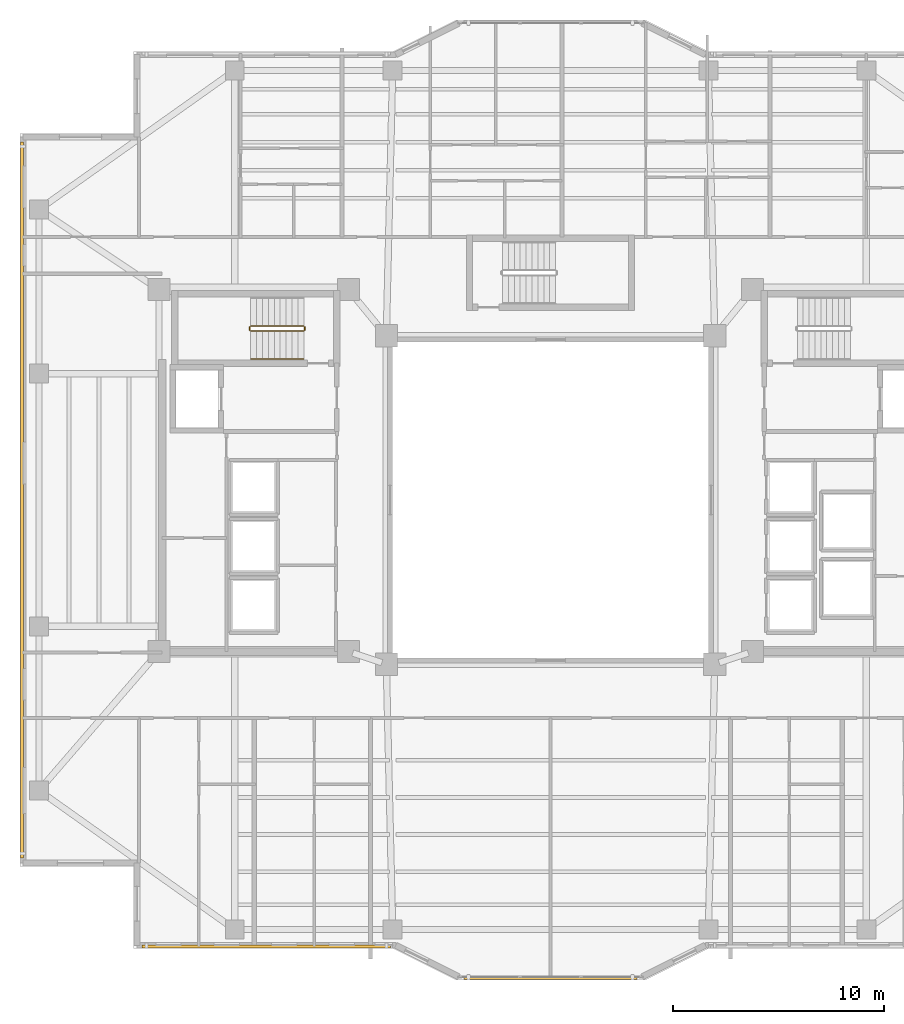
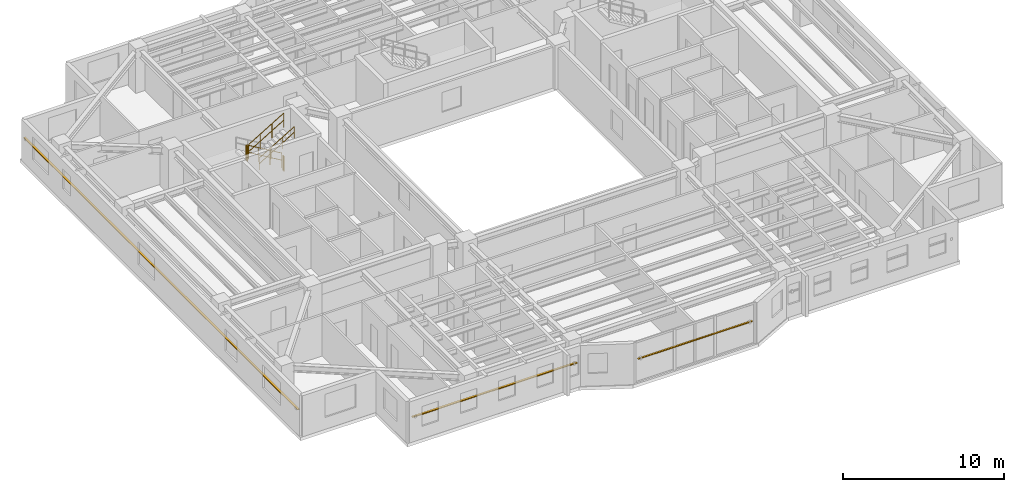
# One storey, part 14 of 16: 5 railings, 3 shading devices.
"""IFC4 building model written with IfcOpenShell, lengths in metres."""

import ifcopenshell
import ifcopenshell.guid

model = None  # the IFC model being written
_history = None  # IfcOwnerHistory: only IFC2X3 demands one
_inside = {}  # id of a spatial element -> (the spatial element, [elements in it])
_under = {}  # id of a project, library or spatial element -> (it, [spatial elements below it])
_declared = {}  # id of a project -> (the project, [libraries it declares])
_typed = {}  # id of a type object -> (the type object, [elements of that type])
_made_of = {}  # id of a material, layer set ... -> (it, [elements and type objects made of it])


def new_model(schema):
    """Start an empty IFC model of exactly this schema.

    Asked for "IFC4X3", IfcOpenShell would pick the latest addendum, in which some entities
    have other attributes; the version numbers below select the first issue.
    IFC2X3 requires an IfcOwnerHistory on every rooted entity: one is made here for all.
    """
    global model, _history
    if schema == "IFC4X3":
        model = ifcopenshell.file(schema_version=(4, 3, 0, 0))
    else:
        model = ifcopenshell.file(schema=schema)
    _inside.clear()
    _under.clear()
    _declared.clear()
    _typed.clear()
    _made_of.clear()
    _history = None
    if model.schema == "IFC2X3":
        org = make("IfcOrganization", Name="unknown")
        user = make(
            "IfcPersonAndOrganization",
            ThePerson=make("IfcPerson", FamilyName="unknown"),
            TheOrganization=org,
        )
        app = make(
            "IfcApplication",
            ApplicationDeveloper=org,
            Version="unknown",
            ApplicationFullName="unknown",
            ApplicationIdentifier="unknown",
        )
        _history = make(
            "IfcOwnerHistory",
            OwningUser=user,
            OwningApplication=app,
            ChangeAction="ADDED",
            CreationDate=0,
        )
    return model


def make(cls, **values):
    """One entity of the class cls with the attributes given. An attribute that is None is left unset."""
    return model.create_entity(
        cls, **{name: value for name, value in values.items() if value is not None}
    )


def rooted(cls, **values):
    """An entity with a GlobalId (a new one), such as an element, a storey or a relation."""
    return make(cls, GlobalId=ifcopenshell.guid.new(), OwnerHistory=_history, **values)


def si_unit(unit_type, name, prefix=None):
    """IfcSIUnit, for example si_unit("LENGTHUNIT", "METRE", prefix="MILLI")."""
    return make("IfcSIUnit", UnitType=unit_type, Prefix=prefix, Name=name)


def assignment(units):
    """IfcUnitAssignment: the units of a project."""
    return None if units is None else make("IfcUnitAssignment", Units=units)


def point(xyz):
    """IfcCartesianPoint."""
    return None if xyz is None else make("IfcCartesianPoint", Coordinates=xyz)


def direction(xyz):
    """IfcDirection."""
    return None if xyz is None else make("IfcDirection", DirectionRatios=xyz)


def frame(location, z_axis=None, x_axis=None):
    """IfcAxis2Placement3D, a coordinate frame: its origin and axes. An axis left out is left unset."""
    return make(
        "IfcAxis2Placement3D",
        Location=point(location),
        Axis=direction(z_axis),
        RefDirection=direction(x_axis),
    )


def frame_2d(location, x_axis=None):
    """IfcAxis2Placement2D, a coordinate frame in the plane: its origin and x axis."""
    return make(
        "IfcAxis2Placement2D", Location=point(location), RefDirection=direction(x_axis)
    )


def origin():
    """The frame at (0, 0, 0) with its axes left unset."""
    return frame((0.0, 0.0, 0.0))


def origin_2d():
    """The frame at (0, 0) in the plane with its x axis left unset."""
    return frame_2d((0.0, 0.0))


def place(relative_to, where):
    """IfcLocalPlacement: puts the frame where relative to a parent placement (None: the world)."""
    return make(
        "IfcLocalPlacement", PlacementRelTo=relative_to, RelativePlacement=where
    )


def context(
    kind, dimensions, precision=None, world=None, true_north=None, identifier=None
):
    """IfcGeometricRepresentationContext, for example the 3D "Model" context."""
    return make(
        "IfcGeometricRepresentationContext",
        ContextIdentifier=identifier,
        ContextType=kind,
        CoordinateSpaceDimension=dimensions,
        Precision=precision,
        WorldCoordinateSystem=world,
        TrueNorth=true_north,
    )


def subcontext(parent, identifier, kind, view, scale=None):
    """IfcGeometricRepresentationSubContext, for example "Body" below "Model"."""
    return make(
        "IfcGeometricRepresentationSubContext",
        ContextIdentifier=identifier,
        ContextType=kind,
        ParentContext=parent,
        TargetScale=scale,
        TargetView=view,
    )


def project(units=None, contexts=None):
    """IfcProject with its units and contexts."""
    return rooted(
        "IfcProject",
        Name="project",
        RepresentationContexts=contexts,
        UnitsInContext=assignment(units),
    )


def spatial(cls, under=None, at=None, **own):
    """A site, building, storey or space (cls), placed at a placement, below another one or the project."""
    s = rooted(cls, ObjectPlacement=at, **own)
    if under is not None:
        _under.setdefault(under.id(), (under, []))[1].append(s)
    return s


def profile(cls, at=None, kind="AREA", **sizes):
    """A parametric profile (cls). Its sizes go by their IFC names, for example OverallWidth=200.0."""
    return make(cls, ProfileType=kind, Position=at, **sizes)


def rectangle(**sizes):
    """IfcRectangleProfileDef."""
    return profile("IfcRectangleProfileDef", **sizes)


def circle(**sizes):
    """IfcCircleProfileDef."""
    return profile("IfcCircleProfileDef", **sizes)


def extrude(swept, where, along, depth):
    """IfcExtrudedAreaSolid: the profile swept, set in the frame where, extruded along a direction by depth."""
    return make(
        "IfcExtrudedAreaSolid",
        SweptArea=swept,
        Position=where,
        ExtrudedDirection=direction(along),
        Depth=depth,
    )


def shape(context_of_items, identifier, shape_type, items):
    """IfcShapeRepresentation: the items that make up one representation, for example the "Body"."""
    return make(
        "IfcShapeRepresentation",
        ContextOfItems=context_of_items,
        RepresentationIdentifier=identifier,
        RepresentationType=shape_type,
        Items=items,
    )


def material(Name=None, Category=None):
    """IfcMaterial."""
    return make("IfcMaterial", Name=Name, Category=Category)


def material_profile(
    of_material, cross_section, Name=None, Category=None, Priority=None
):
    """IfcMaterialProfile: a cross section and its material."""
    return make(
        "IfcMaterialProfile",
        Name=Name,
        Material=of_material,
        Profile=cross_section,
        Priority=Priority,
        Category=Category,
    )


def profile_set(profiles, Name=None, composite=None):
    """IfcMaterialProfileSet."""
    return make(
        "IfcMaterialProfileSet",
        Name=Name,
        MaterialProfiles=profiles,
        CompositeProfile=composite,
    )


def made_of(thing, what):
    """Note that an element or type object is made of a material, layer set ...; save() writes the relation."""
    if what is not None:
        _made_of.setdefault(what.id(), (what, []))[1].append(thing)
    return thing


def type_object(cls, material=None, **own):
    """A type object (cls), such as IfcWallType, which elements share."""
    return made_of(rooted(cls, **own), material)


def element(
    cls,
    number,
    at=None,
    inside=None,
    cuts=None,
    type_object=None,
    material=None,
    context=None,
    identifier="Body",
    shape_type=None,
    held_by="IfcProductDefinitionShape",
    body=None,
    shapes=None,
    **own,
):
    """One element of the class cls, such as IfcWall. Its Tag is "e" and its number.

    at: its placement. inside: the storey or other place that contains it. cuts: it is an
    opening in that element (IfcRelVoidsElement). A single representation is given by context,
    identifier, shape_type and body (its items); several are given by shapes. held_by: the class
    of the entity that holds the representations. save() writes the other relations.
    """
    e = rooted(cls, Tag="e%d" % number, ObjectPlacement=at, **own)
    if body is not None:
        shapes = [shape(context, identifier, shape_type, body)]
    if shapes is not None:
        e.Representation = make(held_by, Representations=shapes)
    if inside is not None:
        _inside.setdefault(inside.id(), (inside, []))[1].append(e)
    if cuts is not None:
        rooted(
            "IfcRelVoidsElement", RelatingBuildingElement=cuts, RelatedOpeningElement=e
        )
    if type_object is not None:
        _typed.setdefault(type_object.id(), (type_object, []))[1].append(e)
    return made_of(e, material)


def aggregate(whole, parts):
    """IfcRelAggregates: a whole, such as a stair, and the parts it consists of."""
    return rooted("IfcRelAggregates", RelatingObject=whole, RelatedObjects=parts)


def save(model, path):
    """Write the relations noted so far, then the file.

    IfcRelAggregates (storeys below a building ...), IfcRelContainedInSpatialStructure (elements
    in a storey), IfcRelDefinesByType, IfcRelAssociatesMaterial and IfcRelDeclares: one each for
    every whole, place, type object, material and project.
    """
    for whole, parts in _under.values():
        aggregate(whole, parts)
    for where, things in _inside.values():
        rooted(
            "IfcRelContainedInSpatialStructure",
            RelatedElements=things,
            RelatingStructure=where,
        )
    for kind, things in _typed.values():
        rooted("IfcRelDefinesByType", RelatedObjects=things, RelatingType=kind)
    for what, things in _made_of.values():
        rooted("IfcRelAssociatesMaterial", RelatedObjects=things, RelatingMaterial=what)
    for by, libraries in _declared.values():
        rooted("IfcRelDeclares", RelatingContext=by, RelatedDefinitions=libraries)
    model.write(path)


model = new_model("IFC4")

# Units and contexts
model_context = context("Model", 3, precision=1e-05, world=origin(), true_north=direction((0.0, 1.0)))
body_context = subcontext(model_context, "Body", "Model", "MODEL_VIEW")
ifc_project = project(units=[si_unit("LENGTHUNIT", "METRE"), si_unit("AREAUNIT", "SQUARE_METRE"), si_unit("VOLUMEUNIT", "CUBIC_METRE"), si_unit("PLANEANGLEUNIT", "RADIAN"), si_unit("MASSUNIT", "GRAM", prefix="KILO")], contexts=[model_context])

# Site, building, storey
site_placement = place(None, origin())
site = spatial("IfcSite", under=ifc_project, at=site_placement, CompositionType="ELEMENT")
building_placement = place(site_placement, origin())
building = spatial("IfcBuilding", under=site, at=building_placement, Name="Tarnavaz Court Tower", CompositionType="ELEMENT")
storey_placement = place(building_placement, frame((0.0, 0.0, 156.050048828125)))
storey = spatial("IfcBuildingStorey", under=building, at=storey_placement, Name="L42", CompositionType="ELEMENT", Elevation=156.050048828125)

# Railings
ifc_material_1 = material(Name="Brushed Stainless Steel", Category="steel")
railing_type_1 = type_object("IfcRailingType", Name="RL-HANDRAIL-900", PredefinedType="HANDRAIL", material=ifc_material_1)
railing_1_placement = place(storey_placement, frame((-14.239990234375, 6.699951171875, 1.842529296875)))
element("IfcRailing", 1, at=railing_1_placement, inside=storey, type_object=railing_type_1, Name="L42 ST-W1 stair handrail 2", PredefinedType="HANDRAIL", context=body_context, shape_type="SweptSolid", body=[
    extrude(circle(Radius=0.02392578125, at=origin_2d()), frame((0.0, 0.0, 0.8759765625), z_axis=(0.858196387827, 0.0, 0.513321497621), x_axis=(0.0, 1.0, 0.0)), (0.0, 0.0, 1.0), 2.9365234375),
    extrude(circle(Radius=0.02392578125, at=origin_2d()), frame((0.0, 0.0, 0.449951171875), z_axis=(0.858196387827, 0.0, 0.513321497621), x_axis=(0.0, 1.0, 0.0)), (0.0, 0.0, 1.0), 2.9365234375),
    extrude(circle(Radius=0.02099609375, at=origin_2d()), origin(), (0.0, 0.0, 1.0), 0.851806640625),
    extrude(circle(Radius=0.02099609375, at=origin_2d()), frame((0.840087890625, 0.0, 0.50244140625)), (0.0, 0.0, 1.0), 0.851806640625),
    extrude(circle(Radius=0.02099609375, at=origin_2d()), frame((1.679931640625, 0.0, 1.0048828125)), (0.0, 0.0, 1.0), 0.851806640625),
    extrude(circle(Radius=0.02099609375, at=origin_2d()), frame((2.52001953125, 0.0, 1.50732421875)), (0.0, 0.0, 1.0), 0.851806640625),
])
ifc_material_2 = material(Name="Galvanized Painted Tubular Steel", Category="steel")
railing_type_2 = type_object("IfcRailingType", Name="RL-STGUARD-1120", PredefinedType="GUARDRAIL", material=ifc_material_2)
railing_2_placement = place(storey_placement, frame((-11.719970703125, 8.27001953125, 0.16748046875)))
element("IfcRailing", 2, at=railing_2_placement, inside=storey, type_object=railing_type_2, Name="L42 ST-W1 stair guard 1", PredefinedType="GUARDRAIL", context=body_context, shape_type="SweptSolid", body=[
    extrude(circle(Radius=0.02392578125, at=origin_2d()), frame((0.0, 0.0, 1.09619140625), z_axis=(-0.858159760407, 0.0, 0.513382728203), x_axis=(0.0, -1.0, 0.0)), (0.0, 0.0, 1.0), 2.9365234375),
    extrude(circle(Radius=0.02392578125, at=origin_2d()), frame((0.0, 0.0, 0.56005859375), z_axis=(-0.858159760407, 0.0, 0.513382728203), x_axis=(0.0, -1.0, 0.0)), (0.0, 0.0, 1.0), 2.9365234375),
    extrude(circle(Radius=0.02099609375, at=origin_2d()), origin(), (0.0, 0.0, 1.0), 1.072021484375),
    extrude(circle(Radius=0.02099609375, at=origin_2d()), frame((-0.840087890625, 0.0, 0.50244140625)), (0.0, 0.0, 1.0), 1.072021484375),
    extrude(circle(Radius=0.02099609375, at=origin_2d()), frame((-1.679931640625, 0.0, 1.005126953125)), (0.0, 0.0, 1.0), 1.072021484375),
    extrude(circle(Radius=0.02099609375, at=origin_2d()), frame((-2.52001953125, 0.0, 1.507568359375)), (0.0, 0.0, 1.0), 1.072021484375),
])
railing_3_placement = place(storey_placement, frame((-14.2900390625, 8.219970703125, 1.675048828125)))
element("IfcRailing", 3, at=railing_3_placement, inside=storey, type_object=railing_type_2, Name="L42 ST-W1 stair guard 2", PredefinedType="GUARDRAIL", context=body_context, shape_type="SweptSolid", body=[
    extrude(circle(Radius=0.02392578125, at=origin_2d()), frame((0.0, 0.0, 1.09619140625), z_axis=(0.0, -1.0, 0.0), x_axis=(1.0, 0.0, 0.0)), (0.0, 0.0, 1.0), 0.14990234375),
    extrude(circle(Radius=0.02392578125, at=origin_2d()), frame((0.0, 0.0, 0.56005859375), z_axis=(0.0, -1.0, 0.0), x_axis=(1.0, 0.0, 0.0)), (0.0, 0.0, 1.0), 0.14990234375),
    extrude(circle(Radius=0.02099609375, at=origin_2d()), origin(), (0.0, 0.0, 1.0), 1.072021484375),
    extrude(circle(Radius=0.02099609375, at=origin_2d()), frame((0.0, -0.14990234375, 0.0)), (0.0, 0.0, 1.0), 1.072021484375),
])
railing_4_placement = place(storey_placement, frame((-14.239990234375, 8.02001953125, 1.842529296875)))
element("IfcRailing", 4, at=railing_4_placement, inside=storey, type_object=railing_type_2, Name="L42 ST-W1 stair guard 3", PredefinedType="GUARDRAIL", context=body_context, shape_type="SweptSolid", body=[
    extrude(circle(Radius=0.02392578125, at=origin_2d()), frame((0.0, 0.0, 1.09619140625), z_axis=(0.858196387827, 0.0, 0.513321497621), x_axis=(0.0, 1.0, 0.0)), (0.0, 0.0, 1.0), 2.9365234375),
    extrude(circle(Radius=0.02392578125, at=origin_2d()), frame((0.0, 0.0, 0.56005859375), z_axis=(0.858196387827, 0.0, 0.513321497621), x_axis=(0.0, 1.0, 0.0)), (0.0, 0.0, 1.0), 2.9365234375),
    extrude(circle(Radius=0.02099609375, at=origin_2d()), origin(), (0.0, 0.0, 1.0), 1.072021484375),
    extrude(circle(Radius=0.02099609375, at=origin_2d()), frame((0.840087890625, 0.0, 0.50244140625)), (0.0, 0.0, 1.0), 1.072021484375),
    extrude(circle(Radius=0.02099609375, at=origin_2d()), frame((1.679931640625, 0.0, 1.0048828125)), (0.0, 0.0, 1.0), 1.072021484375),
    extrude(circle(Radius=0.02099609375, at=origin_2d()), frame((2.52001953125, 0.0, 1.50732421875)), (0.0, 0.0, 1.0), 1.072021484375),
])
railing_5_placement = place(storey_placement, frame((-11.669921875, 8.219970703125, 0.0)))
element("IfcRailing", 5, at=railing_5_placement, inside=storey, type_object=railing_type_2, Name="L42 ST-W1 stair guard 4", PredefinedType="GUARDRAIL", context=body_context, shape_type="SweptSolid", body=[
    extrude(circle(Radius=0.02392578125, at=origin_2d()), frame((0.0, 0.0, 1.09619140625), z_axis=(0.0, -1.0, 0.0), x_axis=(1.0, 0.0, 0.0)), (0.0, 0.0, 1.0), 0.14990234375),
    extrude(circle(Radius=0.02392578125, at=origin_2d()), frame((0.0, 0.0, 0.56005859375), z_axis=(0.0, -1.0, 0.0), x_axis=(1.0, 0.0, 0.0)), (0.0, 0.0, 1.0), 0.14990234375),
    extrude(circle(Radius=0.02099609375, at=origin_2d()), origin(), (0.0, 0.0, 1.0), 1.072021484375),
    extrude(circle(Radius=0.02099609375, at=origin_2d()), frame((0.0, -0.14990234375, 0.0)), (0.0, 0.0, 1.0), 1.072021484375),
])

# Shading devices
ifc_material_3 = material(Name="Kiln-Fired Khorasan Terracotta Ceramic", Category="masonry")
ifc_material_profile_1 = material_profile(ifc_material_3, rectangle(XDim=0.1201171875, YDim=0.06005859375, at=origin_2d()), Name="TC BAGUETTE 120X60")
ifc_profile_set_1 = profile_set([ifc_material_profile_1], Name="Kiln-Fired Khorasan Terracotta Ceramic")
shading_device_type_1 = type_object("IfcShadingDeviceType", Name="SD-BAG-120", PredefinedType="USERDEFINED", material=ifc_profile_set_1)
shading_device_1_placement = place(storey_placement, frame((4.10009765625, -22.7099609375, 1.800048828125), z_axis=(-1.0, 0.0, 0.0), x_axis=(0.0, -1.0, 0.0)))
element("IfcShadingDevice", 6, at=shading_device_1_placement, inside=storey, type_object=shading_device_type_1, Name="L42 Terracotta Baguette Screen PBG17", ObjectType="BAGUETTE", PredefinedType="USERDEFINED", context=body_context, shape_type="SweptSolid", body=[
    extrude(rectangle(XDim=0.1201171875, YDim=0.06005859375, at=origin_2d()), origin(), (0.0, 0.0, 1.0), 8.2001953125),
])
ifc_material_profile_2 = material_profile(ifc_material_3, rectangle(XDim=0.14990234375, YDim=0.06494140625, at=origin_2d()), Name="TC BAGUETTE 150X65")
ifc_profile_set_2 = profile_set([ifc_material_profile_2], Name="Kiln-Fired Khorasan Terracotta Ceramic")
shading_device_type_2 = type_object("IfcShadingDeviceType", Name="SD-BAG-150", PredefinedType="USERDEFINED", material=ifc_profile_set_2)
shading_device_2_placement = place(storey_placement, frame((-25.110107421875, -17.0, 1.849853515625), z_axis=(0.0, 1.0, 0.0), x_axis=(-1.0, 0.0, 0.0)))
element("IfcShadingDevice", 7, at=shading_device_2_placement, inside=storey, type_object=shading_device_type_2, Name="L42 Terracotta Baguette Screen FBG02", ObjectType="BAGUETTE", PredefinedType="USERDEFINED", context=body_context, shape_type="SweptSolid", body=[
    extrude(rectangle(XDim=0.14990234375, YDim=0.06494140625, at=origin_2d()), origin(), (0.0, 0.0, 1.0), 34.0),
])
shading_device_3_placement = place(storey_placement, frame((-7.60009765625, -21.2099609375, 1.849853515625), z_axis=(-1.0, 0.0, 0.0), x_axis=(0.0, -1.0, 0.0)))
element("IfcShadingDevice", 8, at=shading_device_3_placement, inside=storey, type_object=shading_device_type_2, Name="L42 Terracotta Baguette Screen FBG19", ObjectType="BAGUETTE", PredefinedType="USERDEFINED", context=body_context, shape_type="SweptSolid", body=[
    extrude(rectangle(XDim=0.14990234375, YDim=0.06494140625, at=origin_2d()), origin(), (0.0, 0.0, 1.0), 11.7998046875),
])

save(model, "model.ifc")
